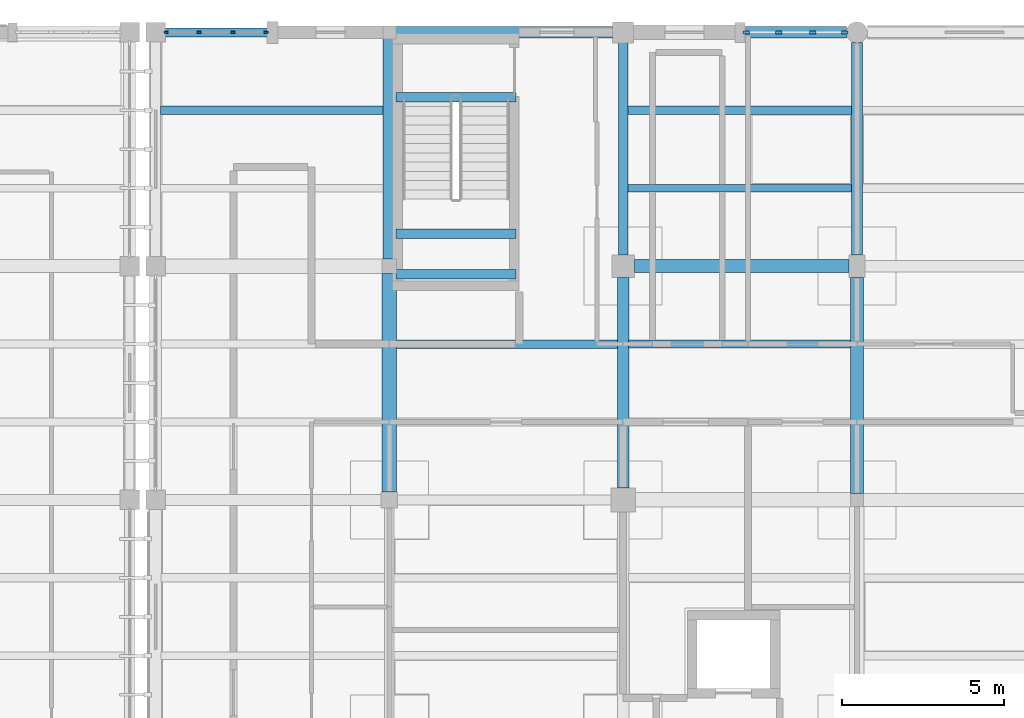
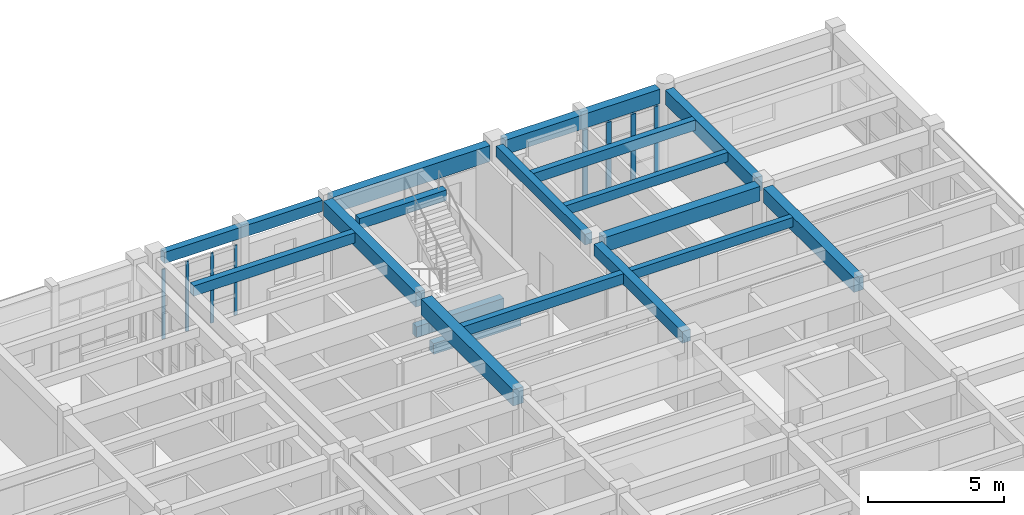
# One storey, part 35 of 100: 18 beams, 8 members, 2 elements without a shape of their own.
"""IFC4 building model written with IfcOpenShell, lengths in metres."""

from ifc_helpers import new_model, si_unit, direction, frame, origin, origin_2d, place, context, subcontext, project, spatial, rectangle, extrude, material, material_profile, profile_set, type_object, element, aggregate, save


model = new_model("IFC4")

# Units and contexts
model_context = context("Model", 3, precision=1e-05, world=origin(), true_north=direction((0.0, 1.0)))
body_context = subcontext(model_context, "Body", "Model", "MODEL_VIEW")
ifc_project = project(units=[si_unit("LENGTHUNIT", "METRE"), si_unit("AREAUNIT", "SQUARE_METRE"), si_unit("VOLUMEUNIT", "CUBIC_METRE"), si_unit("PLANEANGLEUNIT", "RADIAN"), si_unit("MASSUNIT", "GRAM", prefix="KILO")], contexts=[model_context])

# Site, building, storey
site_placement = place(None, origin())
site = spatial("IfcSite", under=ifc_project, at=site_placement, CompositionType="ELEMENT")
building_placement = place(site_placement, origin())
building = spatial("IfcBuilding", under=site, at=building_placement, Name="Steenspoor Specialist Clinic", CompositionType="ELEMENT")
storey_placement = place(building_placement, frame((0.0, 0.0, 9.0)))
storey = spatial("IfcBuildingStorey", under=building, at=storey_placement, Name="L02", CompositionType="ELEMENT", Elevation=9.0)

# Beams
ifc_material_1 = material(Name="Concrete C35/45", Category="concrete")
ifc_material_profile_1 = material_profile(ifc_material_1, rectangle(XDim=0.300048828125, YDim=0.47998046875, at=origin_2d()), Name="RC-BM-300X480")
ifc_profile_set_1 = profile_set([ifc_material_profile_1], Name="Concrete C35/45")
beam_type_1 = type_object("IfcBeamType", Name="BM-RC-300X480", PredefinedType="BEAM", material=ifc_profile_set_1)
for number, where, z_axis, x_axis, name in (
    (1, (125.39990234375, 102.14990234375, 1.659912109375), (1.0, 0.0, 0.0), (0.0, 1.0, 0.0), "Stair Mid-Landing Bearer 1 ST-V6A L02"),
    (2, (125.39990234375, 100.89990234375, 1.659912109375), (1.0, 0.0, 0.0), (0.0, 1.0, 0.0), "Stair Mid-Landing Bearer 2 ST-V6A L02"),
    (3, (125.39990234375, 106.35009765625, 3.9599609375), (1.0, 0.0, 0.0), (0.0, 1.0, 0.0), "Stair Well Trimmer Beam ST-V6A L02"),
):
    element("IfcBeam", number, at=place(storey_placement, frame(where, z_axis=z_axis, x_axis=x_axis)), inside=storey, type_object=beam_type_1, Name=name, PredefinedType="BEAM", context=body_context, shape_type="SweptSolid", body=[
        extrude(rectangle(XDim=0.300048828125, YDim=0.47998046875, at=origin_2d()), origin(), (0.0, 0.0, 1.0), 3.7001953125),
    ])
beam_1_placement = place(storey_placement, frame((132.39990234375, 101.4951171875, 3.7099609375), z_axis=(0.0, 1.0, 0.0), x_axis=(-1.0, 0.0, 0.0)))
element("IfcBeam", 4, at=beam_1_placement, inside=storey, type_object=beam_type_1, Name="BM-V6-L02-Y1644", PredefinedType="BEAM", context=body_context, shape_type="SweptSolid", body=[
    extrude(rectangle(XDim=0.300048828125, YDim=0.47998046875, at=origin_2d()), origin(), (0.0, 0.0, 1.0), 6.534912109375),
])
ifc_material_profile_2 = material_profile(ifc_material_1, rectangle(XDim=0.35009765625, YDim=0.52001953125, at=origin_2d()), Name="RC-BM-350X520")
ifc_profile_set_2 = profile_set([ifc_material_profile_2], Name="Concrete C35/45")
beam_type_2 = type_object("IfcBeamType", Name="BM-RC-350X520", PredefinedType="BEAM", material=ifc_profile_set_2)
beam_2_placement = place(storey_placement, frame((132.39990234375, 94.320068359375, 3.68994140625), z_axis=(0.0, 1.0, 0.0), x_axis=(-1.0, 0.0, 0.0)))
element("IfcBeam", 5, at=beam_2_placement, inside=storey, type_object=beam_type_2, Name="BM-V6-L02-Y1643", PredefinedType="BEAM", context=body_context, shape_type="SweptSolid", body=[
    extrude(rectangle(XDim=0.35009765625, YDim=0.52001953125, at=origin_2d()), origin(), (0.0, 0.0, 1.0), 6.48486328125),
])
ifc_material_profile_3 = material_profile(ifc_material_1, rectangle(XDim=0.35009765625, YDim=0.64990234375, at=origin_2d()), Name="RC-BM-350X650")
ifc_profile_set_3 = profile_set([ifc_material_profile_3], Name="Concrete C35/45")
beam_type_3 = type_object("IfcBeamType", Name="BM-RC-350X650", PredefinedType="BEAM", material=ifc_profile_set_3)
beam_3_placement = place(storey_placement, frame((139.60009765625, 101.4951171875, 3.625), z_axis=(0.0, 1.0, 0.0), x_axis=(-1.0, 0.0, 0.0)))
element("IfcBeam", 6, at=beam_3_placement, inside=storey, type_object=beam_type_3, Name="BM-V6-L02-Y1650", PredefinedType="BEAM", context=body_context, shape_type="SweptSolid", body=[
    extrude(rectangle(XDim=0.35009765625, YDim=0.64990234375, at=origin_2d()), origin(), (0.0, 0.0, 1.0), 6.534912109375),
])
ifc_material_profile_4 = material_profile(ifc_material_1, rectangle(XDim=0.39990234375, YDim=0.64990234375, at=origin_2d()), Name="RC-BM-400X650")
ifc_profile_set_4 = profile_set([ifc_material_profile_4], Name="Concrete C35/45")
beam_type_4 = type_object("IfcBeamType", Name="BM-RC-400X650", PredefinedType="BEAM", material=ifc_profile_set_4)
beam_4_placement = place(storey_placement, frame((132.7451171875, 101.14990234375, 3.625), z_axis=(1.0, 0.0, 0.0), x_axis=(0.0, 1.0, 0.0)))
element("IfcBeam", 7, at=beam_4_placement, inside=storey, type_object=beam_type_4, Name="BM-V6-L02-X1621", PredefinedType="BEAM", context=body_context, shape_type="SweptSolid", body=[
    extrude(rectangle(XDim=0.39990234375, YDim=0.64990234375, at=origin_2d()), origin(), (0.0, 0.0, 1.0), 6.60986328125),
])
beam_5_placement = place(storey_placement, frame((125.199951171875, 101.3701171875, 3.625), z_axis=(0.0, 1.0, 0.0), x_axis=(-1.0, 0.0, 0.0)))
element("IfcBeam", 8, at=beam_5_placement, inside=storey, type_object=beam_type_4, Name="BM-V6-L02-Y1638", PredefinedType="BEAM", context=body_context, shape_type="SweptSolid", body=[
    extrude(rectangle(XDim=0.39990234375, YDim=0.64990234375, at=origin_2d()), origin(), (0.0, 0.0, 1.0), 6.784912109375),
])
beam_6_placement = place(storey_placement, frame((139.60009765625, 94.14501953125, 3.625), z_axis=(0.0, 1.0, 0.0), x_axis=(-1.0, 0.0, 0.0)))
element("IfcBeam", 9, at=beam_6_placement, inside=storey, type_object=beam_type_4, Name="BM-V6-L02-Y1649", PredefinedType="BEAM", context=body_context, shape_type="SweptSolid", body=[
    extrude(rectangle(XDim=0.39990234375, YDim=0.64990234375, at=origin_2d()), origin(), (0.0, 0.0, 1.0), 6.659912109375),
])
ifc_material_profile_5 = material_profile(ifc_material_1, rectangle(XDim=0.449951171875, YDim=0.719970703125, at=origin_2d()), Name="RC-BM-450X720")
ifc_profile_set_5 = profile_set([ifc_material_profile_5], Name="Concrete C35/45")
beam_type_5 = type_object("IfcBeamType", Name="BM-RC-450X720", PredefinedType="BEAM", material=ifc_profile_set_5)
beam_7_placement = place(storey_placement, frame((125.199951171875, 94.195068359375, 3.590087890625), z_axis=(0.0, 1.0, 0.0), x_axis=(-1.0, 0.0, 0.0)))
element("IfcBeam", 10, at=beam_7_placement, inside=storey, type_object=beam_type_5, Name="BM-V6-L02-Y1637", PredefinedType="BEAM", context=body_context, shape_type="SweptSolid", body=[
    extrude(rectangle(XDim=0.449951171875, YDim=0.719970703125, at=origin_2d()), origin(), (0.0, 0.0, 1.0), 6.73486328125),
])

# Curtain wall, members
ifc_material_2 = material(Name="Thermally broken aluminium and low-emissivity glass", Category="aluminium")
curtain_wall_type_1 = type_object("IfcCurtainWallType", Name="CW-WLK-360X340", PredefinedType="USERDEFINED", material=ifc_material_2)
curtain_wall_1_placement = place(storey_placement, origin())
curtain_wall_1 = element("IfcCurtainWall", 11, at=curtain_wall_1_placement, inside=storey, type_object=curtain_wall_type_1, Name="Unitised Curtain Wall CW-V6-L02-190", ObjectType="UNITISED GLAZING", PredefinedType="USERDEFINED")
ifc_material_3 = material(Name="Thermally broken aluminium 6063-T6", Category="aluminium")
ifc_material_profile_6 = material_profile(ifc_material_3, rectangle(XDim=0.06005859375, YDim=0.135009765625, at=origin_2d()), Name="CWM-60X135")
ifc_profile_set_6 = profile_set([ifc_material_profile_6], Name="Thermally broken aluminium 6063-T6")
member_type_1 = type_object("IfcMemberType", Name="CW-MULL-60X135", PredefinedType="MULLION", material=ifc_profile_set_6)
member_1_placement = place(storey_placement, frame((118.330078125, 108.35009765625, 0.0), z_axis=(0.0, 0.0, 1.0), x_axis=(0.0, 1.0, 0.0)))
member_1 = element("IfcMember", 12, at=member_1_placement, type_object=member_type_1, Name="CW-22 mullion 1", PredefinedType="MULLION", context=body_context, shape_type="SweptSolid", body=[
    extrude(rectangle(XDim=0.06005859375, YDim=0.135009765625, at=origin_2d()), origin(), (0.0, 0.0, 1.0), 3.1298828125),
])
member_2_placement = place(storey_placement, frame((119.34326171875, 108.35009765625, 0.0), z_axis=(0.0, 0.0, 1.0), x_axis=(0.0, 1.0, 0.0)))
member_2 = element("IfcMember", 13, at=member_2_placement, type_object=member_type_1, Name="CW-22 mullion 2", PredefinedType="MULLION", context=body_context, shape_type="SweptSolid", body=[
    extrude(rectangle(XDim=0.06005859375, YDim=0.135009765625, at=origin_2d()), origin(), (0.0, 0.0, 1.0), 3.1298828125),
])
member_3_placement = place(storey_placement, frame((120.38671875, 108.35009765625, 0.0), z_axis=(0.0, 0.0, 1.0), x_axis=(0.0, 1.0, 0.0)))
member_3 = element("IfcMember", 14, at=member_3_placement, type_object=member_type_1, Name="CW-22 mullion 3", PredefinedType="MULLION", context=body_context, shape_type="SweptSolid", body=[
    extrude(rectangle(XDim=0.06005859375, YDim=0.135009765625, at=origin_2d()), origin(), (0.0, 0.0, 1.0), 3.1298828125),
])
member_4_placement = place(storey_placement, frame((121.39990234375, 108.35009765625, 0.0), z_axis=(0.0, 0.0, 1.0), x_axis=(0.0, 1.0, 0.0)))
member_4 = element("IfcMember", 15, at=member_4_placement, type_object=member_type_1, Name="CW-22 mullion 4", PredefinedType="MULLION", context=body_context, shape_type="SweptSolid", body=[
    extrude(rectangle(XDim=0.06005859375, YDim=0.135009765625, at=origin_2d()), origin(), (0.0, 0.0, 1.0), 3.1298828125),
])
aggregate(curtain_wall_1, [member_1, member_2, member_3, member_4])

curtain_wall_type_2 = type_object("IfcCurtainWallType", Name="CW-STR-220X355", PredefinedType="USERDEFINED", material=ifc_material_2)
curtain_wall_2_placement = place(storey_placement, origin())
curtain_wall_2 = element("IfcCurtainWall", 16, at=curtain_wall_2_placement, inside=storey, type_object=curtain_wall_type_2, Name="Unitised Curtain Wall CW-V6-L02-191", ObjectType="UNITISED GLAZING", PredefinedType="USERDEFINED")
ifc_material_profile_7 = material_profile(ifc_material_3, rectangle(XDim=0.090087890625, YDim=0.199951171875, at=origin_2d()), Name="CWM-90X200")
ifc_profile_set_7 = profile_set([ifc_material_profile_7], Name="Thermally broken aluminium 6063-T6")
member_type_2 = type_object("IfcMemberType", Name="CW-MULL-90X200", PredefinedType="MULLION", material=ifc_profile_set_7)
member_5_placement = place(storey_placement, frame((136.195068359375, 108.35009765625, 0.0), z_axis=(0.0, 0.0, 1.0), x_axis=(0.0, 1.0, 0.0)))
member_5 = element("IfcMember", 17, at=member_5_placement, type_object=member_type_2, Name="CW-23 mullion 1", PredefinedType="MULLION", context=body_context, shape_type="SweptSolid", body=[
    extrude(rectangle(XDim=0.090087890625, YDim=0.199951171875, at=origin_2d()), origin(), (0.0, 0.0, 1.0), 3.1298828125),
])
member_6_placement = place(storey_placement, frame((137.191650390625, 108.35009765625, 0.0), z_axis=(0.0, 0.0, 1.0), x_axis=(0.0, 1.0, 0.0)))
member_6 = element("IfcMember", 18, at=member_6_placement, type_object=member_type_2, Name="CW-23 mullion 2", PredefinedType="MULLION", context=body_context, shape_type="SweptSolid", body=[
    extrude(rectangle(XDim=0.090087890625, YDim=0.199951171875, at=origin_2d()), origin(), (0.0, 0.0, 1.0), 3.1298828125),
])
member_7_placement = place(storey_placement, frame((138.2333984375, 108.35009765625, 0.0), z_axis=(0.0, 0.0, 1.0), x_axis=(0.0, 1.0, 0.0)))
member_7 = element("IfcMember", 19, at=member_7_placement, type_object=member_type_2, Name="CW-23 mullion 3", PredefinedType="MULLION", context=body_context, shape_type="SweptSolid", body=[
    extrude(rectangle(XDim=0.090087890625, YDim=0.199951171875, at=origin_2d()), origin(), (0.0, 0.0, 1.0), 3.1298828125),
])
member_8_placement = place(storey_placement, frame((139.22998046875, 108.35009765625, 0.0), z_axis=(0.0, 0.0, 1.0), x_axis=(0.0, 1.0, 0.0)))
member_8 = element("IfcMember", 20, at=member_8_placement, type_object=member_type_2, Name="CW-23 mullion 4", PredefinedType="MULLION", context=body_context, shape_type="SweptSolid", body=[
    extrude(rectangle(XDim=0.090087890625, YDim=0.199951171875, at=origin_2d()), origin(), (0.0, 0.0, 1.0), 3.1298828125),
])
aggregate(curtain_wall_2, [member_5, member_6, member_7, member_8])

# Beams
ifc_material_profile_8 = material_profile(ifc_material_1, rectangle(XDim=0.239990234375, YDim=0.419921875, at=origin_2d()), Name="RC-JT-240X420")
ifc_profile_set_8 = profile_set([ifc_material_profile_8], Name="Concrete C35/45")
beam_type_6 = type_object("IfcBeamType", Name="JT-RC-240X420", PredefinedType="JOIST", material=ifc_profile_set_8)
beam_8_placement = place(storey_placement, frame((132.570068359375, 98.75, 3.739990234375), z_axis=(1.0, 0.0, 0.0), x_axis=(0.0, 1.0, 0.0)))
element("IfcBeam", 21, at=beam_8_placement, inside=storey, type_object=beam_type_6, Name="JT-V6-L02-1687", PredefinedType="JOIST", context=body_context, shape_type="SweptSolid", body=[
    extrude(rectangle(XDim=0.239990234375, YDim=0.419921875, at=origin_2d()), origin(), (0.0, 0.0, 1.0), 6.8349609375),
])
beam_9_placement = place(storey_placement, frame((132.544921875, 103.550048828125, 3.739990234375), z_axis=(1.0, 0.0, 0.0), x_axis=(0.0, 1.0, 0.0)))
element("IfcBeam", 22, at=beam_9_placement, inside=storey, type_object=beam_type_6, Name="JT-V6-L02-1688", PredefinedType="JOIST", context=body_context, shape_type="SweptSolid", body=[
    extrude(rectangle(XDim=0.239990234375, YDim=0.419921875, at=origin_2d()), origin(), (0.0, 0.0, 1.0), 6.885009765625),
])
ifc_material_profile_9 = material_profile(ifc_material_1, rectangle(XDim=0.260009765625, YDim=0.4599609375, at=origin_2d()), Name="RC-JT-260X460")
ifc_profile_set_9 = profile_set([ifc_material_profile_9], Name="Concrete C35/45")
beam_type_7 = type_object("IfcBeamType", Name="JT-RC-260X460", PredefinedType="JOIST", material=ifc_profile_set_9)
beam_10_placement = place(storey_placement, frame((118.155029296875, 105.949951171875, 3.719970703125), z_axis=(1.0, 0.0, 0.0), x_axis=(0.0, 1.0, 0.0)))
element("IfcBeam", 23, at=beam_10_placement, inside=storey, type_object=beam_type_7, Name="JT-V6-L02-1668", PredefinedType="JOIST", context=body_context, shape_type="SweptSolid", body=[
    extrude(rectangle(XDim=0.260009765625, YDim=0.4599609375, at=origin_2d()), origin(), (0.0, 0.0, 1.0), 6.849853515625),
])
beam_11_placement = place(storey_placement, frame((125.419921875, 98.75, 3.719970703125), z_axis=(1.0, 0.0, 0.0), x_axis=(0.0, 1.0, 0.0)))
element("IfcBeam", 24, at=beam_11_placement, inside=storey, type_object=beam_type_7, Name="JT-V6-L02-1678", PredefinedType="JOIST", context=body_context, shape_type="SweptSolid", body=[
    extrude(rectangle(XDim=0.260009765625, YDim=0.4599609375, at=origin_2d()), origin(), (0.0, 0.0, 1.0), 6.81005859375),
])
beam_12_placement = place(storey_placement, frame((132.544921875, 105.949951171875, 3.719970703125), z_axis=(1.0, 0.0, 0.0), x_axis=(0.0, 1.0, 0.0)))
element("IfcBeam", 25, at=beam_12_placement, inside=storey, type_object=beam_type_7, Name="JT-V6-L02-1689", PredefinedType="JOIST", context=body_context, shape_type="SweptSolid", body=[
    extrude(rectangle(XDim=0.260009765625, YDim=0.4599609375, at=origin_2d()), origin(), (0.0, 0.0, 1.0), 6.885009765625),
])
ifc_material_profile_10 = material_profile(ifc_material_1, rectangle(XDim=0.280029296875, YDim=0.5, at=origin_2d()), Name="RC-SP-280X500")
ifc_profile_set_10 = profile_set([ifc_material_profile_10], Name="Concrete C35/45")
beam_type_8 = type_object("IfcBeamType", Name="SP-RC-280X500", PredefinedType="SPANDREL", material=ifc_profile_set_10)
beam_13_placement = place(storey_placement, frame((118.294921875, 108.35009765625, 3.699951171875), z_axis=(1.0, 0.0, 0.0), x_axis=(0.0, 1.0, 0.0)))
element("IfcBeam", 26, at=beam_13_placement, inside=storey, type_object=beam_type_8, Name="BM-V6-L02-X1623", PredefinedType="SPANDREL", context=body_context, shape_type="SweptSolid", body=[
    extrude(rectangle(XDim=0.280029296875, YDim=0.5, at=origin_2d()), origin(), (0.0, 0.0, 1.0), 6.7099609375),
])
ifc_material_profile_11 = material_profile(ifc_material_1, rectangle(XDim=0.360107421875, YDim=0.639892578125, at=origin_2d()), Name="RC-SP-360X640")
ifc_profile_set_11 = profile_set([ifc_material_profile_11], Name="Concrete C35/45")
beam_type_9 = type_object("IfcBeamType", Name="SP-RC-360X640", PredefinedType="SPANDREL", material=ifc_profile_set_11)
beam_14_placement = place(storey_placement, frame((132.719970703125, 108.35009765625, 3.6298828125), z_axis=(1.0, 0.0, 0.0), x_axis=(0.0, 1.0, 0.0)))
element("IfcBeam", 27, at=beam_14_placement, inside=storey, type_object=beam_type_9, Name="BM-V6-L02-X1625", PredefinedType="SPANDREL", context=body_context, shape_type="SweptSolid", body=[
    extrude(rectangle(XDim=0.360107421875, YDim=0.639892578125, at=origin_2d()), origin(), (0.0, 0.0, 1.0), 6.56005859375),
])
ifc_material_profile_12 = material_profile(ifc_material_1, rectangle(XDim=0.360107421875, YDim=0.719970703125, at=origin_2d()), Name="RC-SP-360X720")
ifc_profile_set_12 = profile_set([ifc_material_profile_12], Name="Concrete C35/45")
beam_type_10 = type_object("IfcBeamType", Name="SP-RC-360X720", PredefinedType="SPANDREL", material=ifc_profile_set_12)
beam_15_placement = place(storey_placement, frame((125.39501953125, 108.35009765625, 3.590087890625), z_axis=(1.0, 0.0, 0.0), x_axis=(0.0, 1.0, 0.0)))
element("IfcBeam", 28, at=beam_15_placement, inside=storey, type_object=beam_type_10, Name="BM-V6-L02-X1624", PredefinedType="SPANDREL", context=body_context, shape_type="SweptSolid", body=[
    extrude(rectangle(XDim=0.360107421875, YDim=0.719970703125, at=origin_2d()), origin(), (0.0, 0.0, 1.0), 6.68505859375),
])

save(model, "model.ifc")
